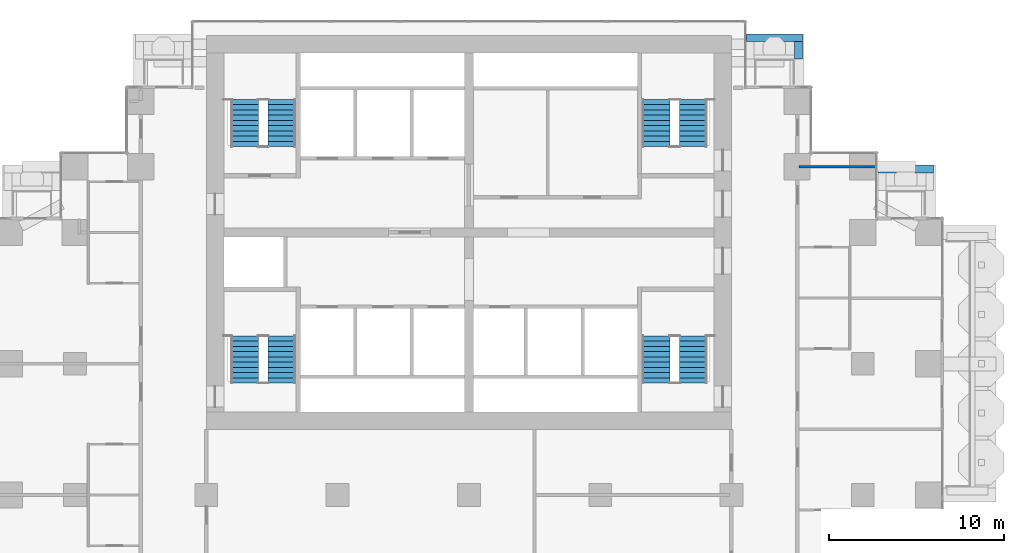
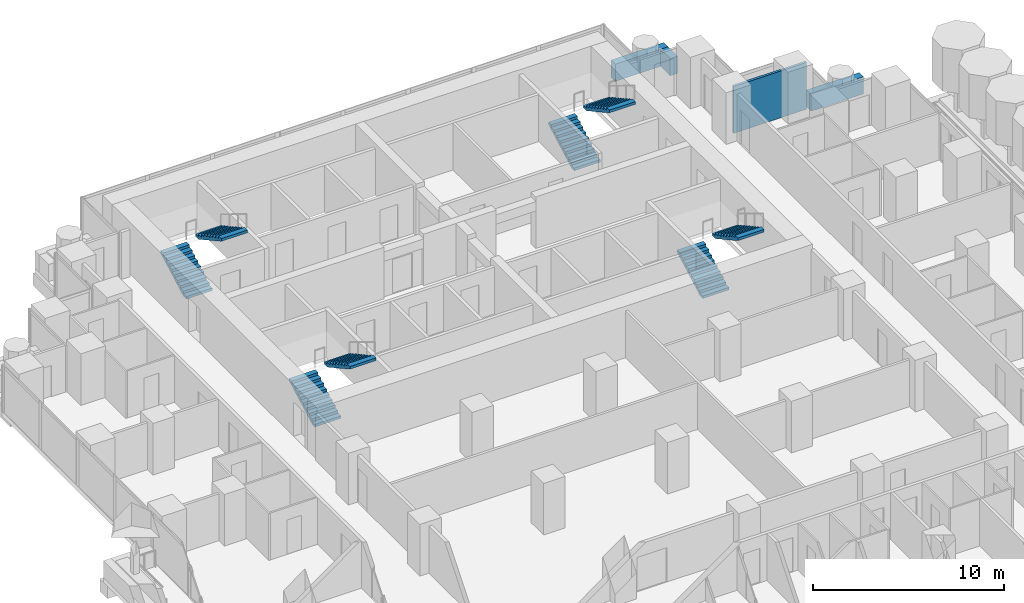
# One storey, part 16 of 19: 8 stair flights, 4 walls, 4 elements without a shape of their own.
"""IFC4 building model written with IfcOpenShell, lengths in metres."""

from ifc_helpers import new_model, si_unit, direction, frame, frame_2d, origin, place, context, subcontext, project, spatial, polyline, rectangle, outline, extrude, material, layer, layer_set, type_object, element, aggregate, save


model = new_model("IFC4")

# Units and contexts
model_context = context("Model", 3, precision=1e-05, world=origin(), true_north=direction((0.0, 1.0)))
body_context = subcontext(model_context, "Body", "Model", "MODEL_VIEW")
ifc_project = project(units=[si_unit("LENGTHUNIT", "METRE"), si_unit("AREAUNIT", "SQUARE_METRE"), si_unit("VOLUMEUNIT", "CUBIC_METRE"), si_unit("PLANEANGLEUNIT", "RADIAN"), si_unit("MASSUNIT", "GRAM", prefix="KILO")], contexts=[model_context])

# Site, building, storey
site_placement = place(None, origin())
site = spatial("IfcSite", under=ifc_project, at=site_placement, CompositionType="ELEMENT")
building_placement = place(site_placement, origin())
building = spatial("IfcBuilding", under=site, at=building_placement, Name="Pilkhan Gate Tower", CompositionType="ELEMENT")
storey_placement = place(building_placement, frame((0.0, 0.0, 72.5)))
storey = spatial("IfcBuildingStorey", under=building, at=storey_placement, Name="L16", CompositionType="ELEMENT", Elevation=72.5)

# Walls
ifc_material_1 = material(Name="Board-marked Concrete C40/50", Category="concrete")
ifc_layer_1 = layer(ifc_material_1, 0.449951171875)
ifc_layer_set_1 = layer_set([ifc_layer_1], Name="Balcony planter lip BL450")
wall_type_1 = type_object("IfcWallType", Name="Balcony planter lip BL450", PredefinedType="USERDEFINED", material=ifc_layer_set_1)
wall_1_placement = place(storey_placement, frame((90.85009765625, 93.625, 0.0), z_axis=(0.0, 0.0, 1.0), x_axis=(1.0, 0.0, 0.0)))
element("IfcWall", 1, at=wall_1_placement, inside=storey, type_object=wall_type_1, Name="Balcony planter L16 N", ObjectType="BALCONY PLANTER", PredefinedType="USERDEFINED", context=body_context, shape_type="SweptSolid", body=[
    extrude(rectangle(XDim=3.199951171875, YDim=0.449951171875, at=frame_2d((1.60009765625, 0.0))), origin(), (0.0, 0.0, 1.0), 1.10009765625),
])
wall_2_placement = place(storey_placement, frame((93.824951171875, 92.39990234375, 0.0), z_axis=(0.0, 0.0, 1.0), x_axis=(0.0, 1.0, 0.0)))
element("IfcWall", 2, at=wall_2_placement, inside=storey, type_object=wall_type_1, Name="Balcony planter L16 N", ObjectType="BALCONY PLANTER", PredefinedType="USERDEFINED", context=body_context, shape_type="SweptSolid", body=[
    extrude(rectangle(XDim=1.0, YDim=0.449951171875, at=frame_2d((0.5, 0.0))), origin(), (0.0, 0.0, 1.0), 1.10009765625),
])
wall_3_placement = place(storey_placement, frame((98.3701171875, 86.125, 0.0), z_axis=(0.0, 0.0, 1.0), x_axis=(1.0, 0.0, 0.0)))
element("IfcWall", 3, at=wall_3_placement, inside=storey, type_object=wall_type_1, Name="Balcony planter L16 N", ObjectType="BALCONY PLANTER", PredefinedType="USERDEFINED", context=body_context, shape_type="SweptSolid", body=[
    extrude(rectangle(XDim=3.179931640625, YDim=0.449951171875, at=frame_2d((1.58984375, 0.0))), origin(), (0.0, 0.0, 1.0), 1.10009765625),
])
ifc_material_2 = material(Name="Blockwork partition, plastered both sides", Category="masonry")
ifc_layer_2 = layer(ifc_material_2, 0.14990234375)
ifc_layer_set_2 = layer_set([ifc_layer_2], Name="Partition PW150")
wall_type_2 = type_object("IfcWallType", Name="Partition PW150", PredefinedType="PARTITIONING", material=ifc_layer_set_2)
wall_4_placement = place(storey_placement, frame((93.85009765625, 86.25, 0.0), z_axis=(0.0, 0.0, 1.0), x_axis=(1.0, 0.0, 0.0)))
element("IfcWall", 4, at=wall_4_placement, inside=storey, type_object=wall_type_2, Name="Partition L16", PredefinedType="PARTITIONING", context=body_context, shape_type="SweptSolid", body=[
    extrude(rectangle(XDim=4.414794921875, YDim=0.14990234375, at=frame_2d((2.20751953125, 0.0))), origin(), (0.0, 0.0, 1.0), 3.0),
])

# Stair, stair flights
ifc_material_3 = material(Name="Concrete C40/50 precast", Category="concrete")
stair_type_1 = type_object("IfcStairType", Name="Stair ST1 165x300", PredefinedType="HALF_TURN_STAIR", material=ifc_material_3)
stair_1_placement = place(storey_placement, origin())
stair_1 = element("IfcStair", 5, at=stair_1_placement, inside=storey, type_object=stair_type_1, Name="Stair ST1 L16", PredefinedType="HALF_TURN_STAIR")
stair_flight_type_1 = type_object("IfcStairFlightType", Name="Stair flight ST1 165x300x10", PredefinedType="STRAIGHT", material=ifc_material_3)
stair_flight_1_placement = place(storey_placement, frame((85.68994140625, 73.89990234375, 0.0), z_axis=(0.0, 0.0, 1.0), x_axis=(0.0, 1.0, 0.0)))
stair_flight_1 = element("IfcStairFlight", 6, at=stair_flight_1_placement, type_object=stair_flight_type_1, Name="ST1 flight 1", NumberOfRisers=10, NumberOfTreads=9, PredefinedType="STRAIGHT", RiserHeight=0.165, TreadLength=0.3, context=body_context, shape_type="SweptSolid", body=[
    extrude(outline(polyline([(0.0, 0.0), (0.0, 0.1650390625), (0.300048828125, 0.1650390625), (0.300048828125, 0.330078125), (0.60009765625, 0.330078125), (0.60009765625, 0.4951171875), (0.89990234375, 0.4951171875), (0.89990234375, 0.659912109375), (1.199951171875, 0.659912109375), (1.199951171875, 0.824951171875), (1.5, 0.824951171875), (1.5, 0.989990234375), (1.800048828125, 0.989990234375), (1.800048828125, 1.155029296875), (2.10009765625, 1.155029296875), (2.10009765625, 1.320068359375), (2.39990234375, 1.320068359375), (2.39990234375, 1.485107421875), (2.699951171875, 1.485107421875), (2.699951171875, 1.64990234375), (2.699951171875, 1.31396484375), (0.31103515625, 0.0), (0.0, 0.0)])), frame((0.0, 0.7900390625, 0.0), z_axis=(0.0, -1.0, 0.0), x_axis=(1.0, 0.0, 0.0)), (0.0, 0.0, 1.0), 1.580078125),
])
stair_flight_2_placement = place(storey_placement, frame((87.81005859375, 76.60009765625, 1.64990234375), z_axis=(0.0, 0.0, 1.0), x_axis=(0.0, -1.0, 0.0)))
stair_flight_2 = element("IfcStairFlight", 7, at=stair_flight_2_placement, type_object=stair_flight_type_1, Name="ST1 flight 2", NumberOfRisers=10, NumberOfTreads=9, PredefinedType="STRAIGHT", RiserHeight=0.165, TreadLength=0.3, context=body_context, shape_type="SweptSolid", body=[
    extrude(outline(polyline([(0.0, 0.0), (0.0, 0.1650390625), (0.300048828125, 0.1650390625), (0.300048828125, 0.330078125), (0.60009765625, 0.330078125), (0.60009765625, 0.4951171875), (0.89990234375, 0.4951171875), (0.89990234375, 0.659912109375), (1.199951171875, 0.659912109375), (1.199951171875, 0.824951171875), (1.5, 0.824951171875), (1.5, 0.989990234375), (1.800048828125, 0.989990234375), (1.800048828125, 1.155029296875), (2.10009765625, 1.155029296875), (2.10009765625, 1.320068359375), (2.39990234375, 1.320068359375), (2.39990234375, 1.485107421875), (2.699951171875, 1.485107421875), (2.699951171875, 1.64990234375), (2.699951171875, 1.31396484375), (0.31103515625, 0.0), (0.0, 0.0)])), frame((0.0, 0.7900390625, 0.0), z_axis=(0.0, -1.0, 0.0), x_axis=(1.0, 0.0, 0.0)), (0.0, 0.0, 1.0), 1.580078125),
])
aggregate(stair_1, [stair_flight_1, stair_flight_2])

stair_type_2 = type_object("IfcStairType", Name="Stair ST2 165x300", PredefinedType="HALF_TURN_STAIR", material=ifc_material_3)
stair_2_placement = place(storey_placement, origin())
stair_2 = element("IfcStair", 8, at=stair_2_placement, inside=storey, type_object=stair_type_2, Name="Stair ST2 L16", PredefinedType="HALF_TURN_STAIR")
stair_flight_type_2 = type_object("IfcStairFlightType", Name="Stair flight ST2 165x300x10", PredefinedType="STRAIGHT", material=ifc_material_3)
stair_flight_3_placement = place(storey_placement, frame((62.18994140625, 73.89990234375, 0.0), z_axis=(0.0, 0.0, 1.0), x_axis=(0.0, 1.0, 0.0)))
stair_flight_3 = element("IfcStairFlight", 9, at=stair_flight_3_placement, type_object=stair_flight_type_2, Name="ST2 flight 1", NumberOfRisers=10, NumberOfTreads=9, PredefinedType="STRAIGHT", RiserHeight=0.165, TreadLength=0.3, context=body_context, shape_type="SweptSolid", body=[
    extrude(outline(polyline([(0.0, 0.0), (0.0, 0.1650390625), (0.300048828125, 0.1650390625), (0.300048828125, 0.330078125), (0.60009765625, 0.330078125), (0.60009765625, 0.4951171875), (0.89990234375, 0.4951171875), (0.89990234375, 0.659912109375), (1.199951171875, 0.659912109375), (1.199951171875, 0.824951171875), (1.5, 0.824951171875), (1.5, 0.989990234375), (1.800048828125, 0.989990234375), (1.800048828125, 1.155029296875), (2.10009765625, 1.155029296875), (2.10009765625, 1.320068359375), (2.39990234375, 1.320068359375), (2.39990234375, 1.485107421875), (2.699951171875, 1.485107421875), (2.699951171875, 1.64990234375), (2.699951171875, 1.31396484375), (0.31103515625, 0.0), (0.0, 0.0)])), frame((0.0, 0.7900390625, 0.0), z_axis=(0.0, -1.0, 0.0), x_axis=(1.0, 0.0, 0.0)), (0.0, 0.0, 1.0), 1.580078125),
])
stair_flight_4_placement = place(storey_placement, frame((64.31005859375, 76.60009765625, 1.64990234375), z_axis=(0.0, 0.0, 1.0), x_axis=(0.0, -1.0, 0.0)))
stair_flight_4 = element("IfcStairFlight", 10, at=stair_flight_4_placement, type_object=stair_flight_type_2, Name="ST2 flight 2", NumberOfRisers=10, NumberOfTreads=9, PredefinedType="STRAIGHT", RiserHeight=0.165, TreadLength=0.3, context=body_context, shape_type="SweptSolid", body=[
    extrude(outline(polyline([(0.0, 0.0), (0.0, 0.1650390625), (0.300048828125, 0.1650390625), (0.300048828125, 0.330078125), (0.60009765625, 0.330078125), (0.60009765625, 0.4951171875), (0.89990234375, 0.4951171875), (0.89990234375, 0.659912109375), (1.199951171875, 0.659912109375), (1.199951171875, 0.824951171875), (1.5, 0.824951171875), (1.5, 0.989990234375), (1.800048828125, 0.989990234375), (1.800048828125, 1.155029296875), (2.10009765625, 1.155029296875), (2.10009765625, 1.320068359375), (2.39990234375, 1.320068359375), (2.39990234375, 1.485107421875), (2.699951171875, 1.485107421875), (2.699951171875, 1.64990234375), (2.699951171875, 1.31396484375), (0.31103515625, 0.0), (0.0, 0.0)])), frame((0.0, 0.7900390625, 0.0), z_axis=(0.0, -1.0, 0.0), x_axis=(1.0, 0.0, 0.0)), (0.0, 0.0, 1.0), 1.580078125),
])
aggregate(stair_2, [stair_flight_3, stair_flight_4])

stair_type_3 = type_object("IfcStairType", Name="Stair ST3 165x300", PredefinedType="HALF_TURN_STAIR", material=ifc_material_3)
stair_3_placement = place(storey_placement, origin())
stair_3 = element("IfcStair", 11, at=stair_3_placement, inside=storey, type_object=stair_type_3, Name="Stair ST3 L16", PredefinedType="HALF_TURN_STAIR")
stair_flight_type_3 = type_object("IfcStairFlightType", Name="Stair flight ST3 165x300x10", PredefinedType="STRAIGHT", material=ifc_material_3)
stair_flight_5_placement = place(storey_placement, frame((62.18994140625, 87.39990234375, 0.0), z_axis=(0.0, 0.0, 1.0), x_axis=(0.0, 1.0, 0.0)))
stair_flight_5 = element("IfcStairFlight", 12, at=stair_flight_5_placement, type_object=stair_flight_type_3, Name="ST3 flight 1", NumberOfRisers=10, NumberOfTreads=9, PredefinedType="STRAIGHT", RiserHeight=0.165, TreadLength=0.3, context=body_context, shape_type="SweptSolid", body=[
    extrude(outline(polyline([(0.0, 0.0), (0.0, 0.1650390625), (0.300048828125, 0.1650390625), (0.300048828125, 0.330078125), (0.60009765625, 0.330078125), (0.60009765625, 0.4951171875), (0.89990234375, 0.4951171875), (0.89990234375, 0.659912109375), (1.199951171875, 0.659912109375), (1.199951171875, 0.824951171875), (1.5, 0.824951171875), (1.5, 0.989990234375), (1.800048828125, 0.989990234375), (1.800048828125, 1.155029296875), (2.10009765625, 1.155029296875), (2.10009765625, 1.320068359375), (2.39990234375, 1.320068359375), (2.39990234375, 1.485107421875), (2.699951171875, 1.485107421875), (2.699951171875, 1.64990234375), (2.699951171875, 1.31396484375), (0.31103515625, 0.0), (0.0, 0.0)])), frame((0.0, 0.7900390625, 0.0), z_axis=(0.0, -1.0, 0.0), x_axis=(1.0, 0.0, 0.0)), (0.0, 0.0, 1.0), 1.580078125),
])
stair_flight_6_placement = place(storey_placement, frame((64.31005859375, 90.10009765625, 1.64990234375), z_axis=(0.0, 0.0, 1.0), x_axis=(0.0, -1.0, 0.0)))
stair_flight_6 = element("IfcStairFlight", 13, at=stair_flight_6_placement, type_object=stair_flight_type_3, Name="ST3 flight 2", NumberOfRisers=10, NumberOfTreads=9, PredefinedType="STRAIGHT", RiserHeight=0.165, TreadLength=0.3, context=body_context, shape_type="SweptSolid", body=[
    extrude(outline(polyline([(0.0, 0.0), (0.0, 0.1650390625), (0.300048828125, 0.1650390625), (0.300048828125, 0.330078125), (0.60009765625, 0.330078125), (0.60009765625, 0.4951171875), (0.89990234375, 0.4951171875), (0.89990234375, 0.659912109375), (1.199951171875, 0.659912109375), (1.199951171875, 0.824951171875), (1.5, 0.824951171875), (1.5, 0.989990234375), (1.800048828125, 0.989990234375), (1.800048828125, 1.155029296875), (2.10009765625, 1.155029296875), (2.10009765625, 1.320068359375), (2.39990234375, 1.320068359375), (2.39990234375, 1.485107421875), (2.699951171875, 1.485107421875), (2.699951171875, 1.64990234375), (2.699951171875, 1.31396484375), (0.31103515625, 0.0), (0.0, 0.0)])), frame((0.0, 0.7900390625, 0.0), z_axis=(0.0, -1.0, 0.0), x_axis=(1.0, 0.0, 0.0)), (0.0, 0.0, 1.0), 1.580078125),
])
aggregate(stair_3, [stair_flight_5, stair_flight_6])

stair_type_4 = type_object("IfcStairType", Name="Stair ST4 165x300", PredefinedType="HALF_TURN_STAIR", material=ifc_material_3)
stair_4_placement = place(storey_placement, origin())
stair_4 = element("IfcStair", 14, at=stair_4_placement, inside=storey, type_object=stair_type_4, Name="Stair ST4 L16", PredefinedType="HALF_TURN_STAIR")
stair_flight_type_4 = type_object("IfcStairFlightType", Name="Stair flight ST4 165x300x10", PredefinedType="STRAIGHT", material=ifc_material_3)
stair_flight_7_placement = place(storey_placement, frame((85.68994140625, 87.39990234375, 0.0), z_axis=(0.0, 0.0, 1.0), x_axis=(0.0, 1.0, 0.0)))
stair_flight_7 = element("IfcStairFlight", 15, at=stair_flight_7_placement, type_object=stair_flight_type_4, Name="ST4 flight 1", NumberOfRisers=10, NumberOfTreads=9, PredefinedType="STRAIGHT", RiserHeight=0.165, TreadLength=0.3, context=body_context, shape_type="SweptSolid", body=[
    extrude(outline(polyline([(0.0, 0.0), (0.0, 0.1650390625), (0.300048828125, 0.1650390625), (0.300048828125, 0.330078125), (0.60009765625, 0.330078125), (0.60009765625, 0.4951171875), (0.89990234375, 0.4951171875), (0.89990234375, 0.659912109375), (1.199951171875, 0.659912109375), (1.199951171875, 0.824951171875), (1.5, 0.824951171875), (1.5, 0.989990234375), (1.800048828125, 0.989990234375), (1.800048828125, 1.155029296875), (2.10009765625, 1.155029296875), (2.10009765625, 1.320068359375), (2.39990234375, 1.320068359375), (2.39990234375, 1.485107421875), (2.699951171875, 1.485107421875), (2.699951171875, 1.64990234375), (2.699951171875, 1.31396484375), (0.31103515625, 0.0), (0.0, 0.0)])), frame((0.0, 0.7900390625, 0.0), z_axis=(0.0, -1.0, 0.0), x_axis=(1.0, 0.0, 0.0)), (0.0, 0.0, 1.0), 1.580078125),
])
stair_flight_8_placement = place(storey_placement, frame((87.81005859375, 90.10009765625, 1.64990234375), z_axis=(0.0, 0.0, 1.0), x_axis=(0.0, -1.0, 0.0)))
stair_flight_8 = element("IfcStairFlight", 16, at=stair_flight_8_placement, type_object=stair_flight_type_4, Name="ST4 flight 2", NumberOfRisers=10, NumberOfTreads=9, PredefinedType="STRAIGHT", RiserHeight=0.165, TreadLength=0.3, context=body_context, shape_type="SweptSolid", body=[
    extrude(outline(polyline([(0.0, 0.0), (0.0, 0.1650390625), (0.300048828125, 0.1650390625), (0.300048828125, 0.330078125), (0.60009765625, 0.330078125), (0.60009765625, 0.4951171875), (0.89990234375, 0.4951171875), (0.89990234375, 0.659912109375), (1.199951171875, 0.659912109375), (1.199951171875, 0.824951171875), (1.5, 0.824951171875), (1.5, 0.989990234375), (1.800048828125, 0.989990234375), (1.800048828125, 1.155029296875), (2.10009765625, 1.155029296875), (2.10009765625, 1.320068359375), (2.39990234375, 1.320068359375), (2.39990234375, 1.485107421875), (2.699951171875, 1.485107421875), (2.699951171875, 1.64990234375), (2.699951171875, 1.31396484375), (0.31103515625, 0.0), (0.0, 0.0)])), frame((0.0, 0.7900390625, 0.0), z_axis=(0.0, -1.0, 0.0), x_axis=(1.0, 0.0, 0.0)), (0.0, 0.0, 1.0), 1.580078125),
])
aggregate(stair_4, [stair_flight_7, stair_flight_8])

save(model, "model.ifc")
